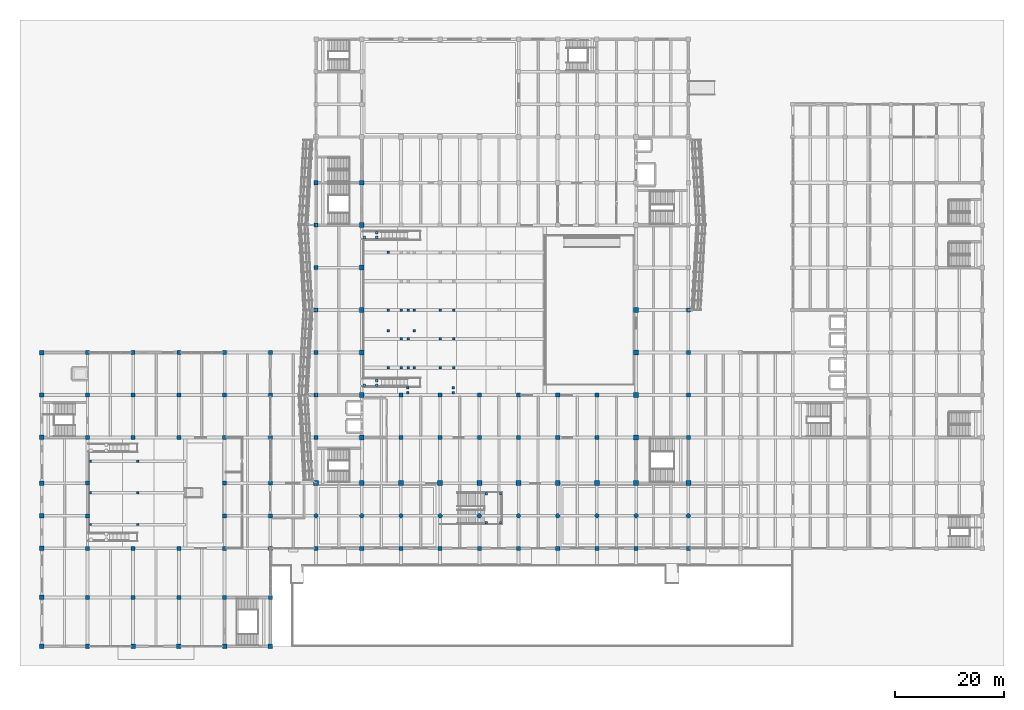
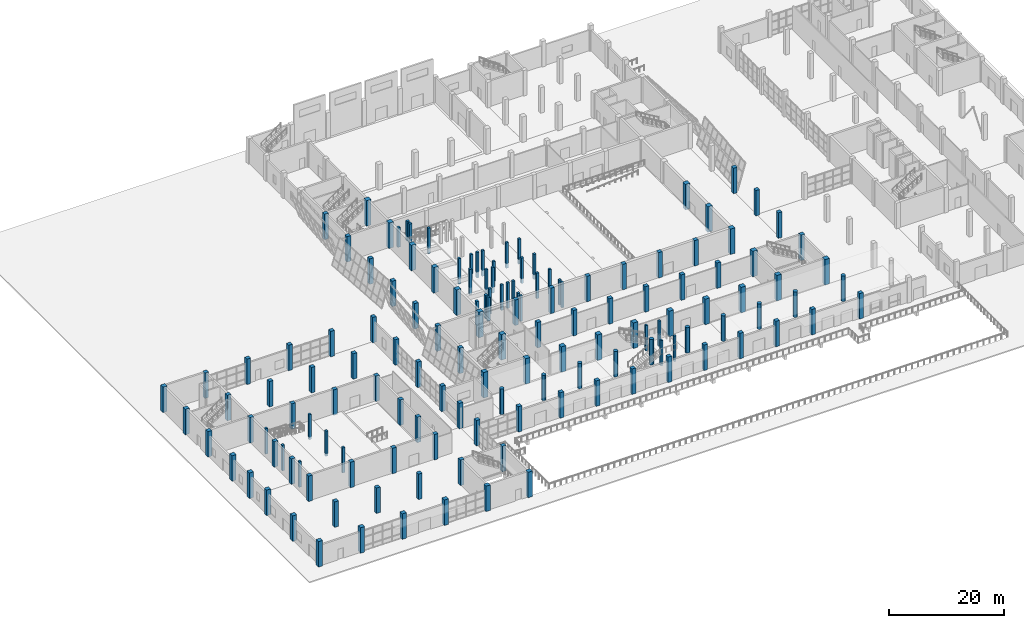
# One storey, part 1 of 78: 151 columns.
"""IFC4 building model written with IfcOpenShell, lengths in metres."""

from ifc_helpers import new_model, si_unit, direction, frame, origin, origin_2d, place, context, subcontext, project, spatial, rectangle, circle, extrude, material, material_profile, profile_set, type_object, element, save


model = new_model("IFC4")

# Units and contexts
model_context = context("Model", 3, precision=1e-05, world=origin(), true_north=direction((0.0, 1.0)))
body_context = subcontext(model_context, "Body", "Model", "MODEL_VIEW")
ifc_project = project(units=[si_unit("LENGTHUNIT", "METRE"), si_unit("AREAUNIT", "SQUARE_METRE"), si_unit("VOLUMEUNIT", "CUBIC_METRE"), si_unit("PLANEANGLEUNIT", "RADIAN"), si_unit("MASSUNIT", "GRAM", prefix="KILO")], contexts=[model_context])

# Site, building, storey
site_placement = place(None, origin())
site = spatial("IfcSite", under=ifc_project, at=site_placement, CompositionType="ELEMENT")
building_placement = place(site_placement, origin())
building = spatial("IfcBuilding", under=site, at=building_placement, Name="Pellamere Symphony Hall", CompositionType="ELEMENT")
storey_placement = place(building_placement, origin())
storey = spatial("IfcBuildingStorey", under=building, at=storey_placement, Name="L00", CompositionType="ELEMENT", Elevation=0.0)

# Columns
ifc_material_1 = material(Name="Concrete 50 MPa", Category="concrete")
ifc_material_profile_1 = material_profile(ifc_material_1, circle(Radius=0.39990234375, at=origin_2d()), Name="RCCOL D800")
ifc_profile_set_1 = profile_set([ifc_material_profile_1], Name="Concrete 50 MPa")
column_type_1 = type_object("IfcColumnType", Name="RC Circular Foyer Column CC-15 D800", PredefinedType="COLUMN", material=ifc_profile_set_1)
for number, where, z_axis, x_axis, name in (
    (1, (50.39990234375, 24.0, 0.0), (0.0, 0.0, 1.0), (1.0, 0.0, 0.0), "Column C-7D (L00)"),
    (2, (58.800048828125, 24.0, 0.0), (0.0, 0.0, 1.0), (1.0, 0.0, 0.0), "Column C-8D (L00)"),
    (3, (66.0, 24.0, 0.0), (0.0, 0.0, 1.0), (1.0, 0.0, 0.0), "Column C-9D (L00)"),
    (4, (73.199951171875, 24.0, 0.0), (0.0, 0.0, 1.0), (1.0, 0.0, 0.0), "Column C-10D (L00)"),
    (5, (80.39990234375, 24.0, 0.0), (0.0, 0.0, 1.0), (1.0, 0.0, 0.0), "Column C-11D (L00)"),
    (6, (87.60009765625, 24.0, 0.0), (0.0, 0.0, 1.0), (1.0, 0.0, 0.0), "Column C-12D (L00)"),
    (7, (94.800048828125, 24.0, 0.0), (0.0, 0.0, 1.0), (1.0, 0.0, 0.0), "Column C-13D (L00)"),
    (8, (102.0, 24.0, 0.0), (0.0, 0.0, 1.0), (1.0, 0.0, 0.0), "Column C-14D (L00)"),
    (9, (109.199951171875, 24.0, 0.0), (0.0, 0.0, 1.0), (1.0, 0.0, 0.0), "Column C-15D (L00)"),
    (10, (118.800048828125, 24.0, 0.0), (0.0, 0.0, 1.0), (1.0, 0.0, 0.0), "Column C-16D (L00)"),
):
    element("IfcColumn", number, at=place(storey_placement, frame(where, z_axis=z_axis, x_axis=x_axis)), inside=storey, type_object=column_type_1, Name=name, PredefinedType="COLUMN", context=body_context, shape_type="SweptSolid", body=[
        extrude(circle(Radius=0.39990234375, at=origin_2d()), origin(), (0.0, 0.0, 1.0), 5.39990234375),
    ])
ifc_material_profile_2 = material_profile(ifc_material_1, rectangle(XDim=0.89990234375, YDim=0.89990234375, at=origin_2d()), Name="RC 900x900")
ifc_profile_set_2 = profile_set([ifc_material_profile_2], Name="Concrete 50 MPa")
column_type_2 = type_object("IfcColumnType", Name="RC Column CC-02 900x900", PredefinedType="COLUMN", material=ifc_profile_set_2)
for number, where, z_axis, x_axis, name in (
    (11, (50.39990234375, 30.0, 0.0), (0.0, 0.0, 1.0), (1.0, 0.0, 0.0), "Column C-7E (L00)"),
    (12, (58.800048828125, 30.0, 0.0), (0.0, 0.0, 1.0), (1.0, 0.0, 0.0), "Column C-8E (L00)"),
    (13, (58.800048828125, 38.39990234375, 0.0), (0.0, 0.0, 1.0), (1.0, 0.0, 0.0), "Column C-8F (L00)"),
    (14, (58.800048828125, 46.199951171875, 0.0), (0.0, 0.0, 1.0), (1.0, 0.0, 0.0), "Column C-8G (L00)"),
    (15, (58.800048828125, 54.0, 0.0), (0.0, 0.0, 1.0), (1.0, 0.0, 0.0), "Column C-8H (L00)"),
    (16, (58.800048828125, 61.800048828125, 0.0), (0.0, 0.0, 1.0), (1.0, 0.0, 0.0), "Column C-8I (L00)"),
    (17, (58.800048828125, 69.60009765625, 0.0), (0.0, 0.0, 1.0), (1.0, 0.0, 0.0), "Column C-8J (L00)"),
    (18, (58.800048828125, 77.39990234375, 0.0), (0.0, 0.0, 1.0), (1.0, 0.0, 0.0), "Column C-8K (L00)"),
    (19, (58.800048828125, 85.199951171875, 0.0), (0.0, 0.0, 1.0), (1.0, 0.0, 0.0), "Column C-8L (L00)"),
    (20, (66.0, 30.0, 0.0), (0.0, 0.0, 1.0), (1.0, 0.0, 0.0), "Column C-9E (L00)"),
    (21, (73.199951171875, 30.0, 0.0), (0.0, 0.0, 1.0), (1.0, 0.0, 0.0), "Column C-10E (L00)"),
    (22, (80.39990234375, 30.0, 0.0), (0.0, 0.0, 1.0), (1.0, 0.0, 0.0), "Column C-11E (L00)"),
    (23, (87.60009765625, 30.0, 0.0), (0.0, 0.0, 1.0), (1.0, 0.0, 0.0), "Column C-12E (L00)"),
    (24, (94.800048828125, 30.0, 0.0), (0.0, 0.0, 1.0), (1.0, 0.0, 0.0), "Column C-13E (L00)"),
    (25, (102.0, 30.0, 0.0), (0.0, 0.0, 1.0), (1.0, 0.0, 0.0), "Column C-14E (L00)"),
    (26, (109.199951171875, 30.0, 0.0), (0.0, 0.0, 1.0), (1.0, 0.0, 0.0), "Column C-15E (L00)"),
    (27, (109.199951171875, 38.39990234375, 0.0), (0.0, 0.0, 1.0), (1.0, 0.0, 0.0), "Column C-15F (L00)"),
    (28, (109.199951171875, 46.199951171875, 0.0), (0.0, 0.0, 1.0), (1.0, 0.0, 0.0), "Column C-15G (L00)"),
    (29, (109.199951171875, 54.0, 0.0), (0.0, 0.0, 1.0), (1.0, 0.0, 0.0), "Column C-15H (L00)"),
    (30, (109.199951171875, 61.800048828125, 0.0), (0.0, 0.0, 1.0), (1.0, 0.0, 0.0), "Column C-15I (L00)"),
    (31, (118.800048828125, 30.0, 0.0), (0.0, 0.0, 1.0), (1.0, 0.0, 0.0), "Column C-16E (L00)"),
):
    element("IfcColumn", number, at=place(storey_placement, frame(where, z_axis=z_axis, x_axis=x_axis)), inside=storey, type_object=column_type_2, Name=name, PredefinedType="COLUMN", context=body_context, shape_type="SweptSolid", body=[
        extrude(rectangle(XDim=0.89990234375, YDim=0.89990234375, at=origin_2d()), origin(), (0.0, 0.0, 1.0), 5.39990234375),
    ])
ifc_material_2 = material(Name="Concrete 40 MPa", Category="concrete")
ifc_material_profile_3 = material_profile(ifc_material_2, rectangle(XDim=0.75, YDim=0.75, at=origin_2d()), Name="RC 750x750")
ifc_profile_set_3 = profile_set([ifc_material_profile_3], Name="Concrete 40 MPa")
column_type_3 = type_object("IfcColumnType", Name="RC Column CC-05 750x750", PredefinedType="COLUMN", material=ifc_profile_set_3)
for number, where, z_axis, x_axis, name in (
    (32, (8.39990234375, 9.0, 0.0), (0.0, 0.0, 1.0), (1.0, 0.0, 0.0), "Column C-2B (L00)"),
    (33, (8.39990234375, 18.0, 0.0), (0.0, 0.0, 1.0), (1.0, 0.0, 0.0), "Column C-2C (L00)"),
    (34, (8.39990234375, 24.0, 0.0), (0.0, 0.0, 1.0), (1.0, 0.0, 0.0), "Column C-2D (L00)"),
    (35, (8.39990234375, 30.0, 0.0), (0.0, 0.0, 1.0), (1.0, 0.0, 0.0), "Column C-2E (L00)"),
    (36, (8.39990234375, 38.39990234375, 0.0), (0.0, 0.0, 1.0), (1.0, 0.0, 0.0), "Column C-2F (L00)"),
    (37, (8.39990234375, 46.199951171875, 0.0), (0.0, 0.0, 1.0), (1.0, 0.0, 0.0), "Column C-2G (L00)"),
    (38, (8.39990234375, 54.0, 0.0), (0.0, 0.0, 1.0), (1.0, 0.0, 0.0), "Column C-2H (L00)"),
    (39, (16.800048828125, 9.0, 0.0), (0.0, 0.0, 1.0), (1.0, 0.0, 0.0), "Column C-3B (L00)"),
    (40, (16.800048828125, 18.0, 0.0), (0.0, 0.0, 1.0), (1.0, 0.0, 0.0), "Column C-3C (L00)"),
    (41, (16.800048828125, 38.39990234375, 0.0), (0.0, 0.0, 1.0), (1.0, 0.0, 0.0), "Column C-3F (L00)"),
    (42, (16.800048828125, 46.199951171875, 0.0), (0.0, 0.0, 1.0), (1.0, 0.0, 0.0), "Column C-3G (L00)"),
    (43, (16.800048828125, 54.0, 0.0), (0.0, 0.0, 1.0), (1.0, 0.0, 0.0), "Column C-3H (L00)"),
    (44, (25.199951171875, 9.0, 0.0), (0.0, 0.0, 1.0), (1.0, 0.0, 0.0), "Column C-4B (L00)"),
    (45, (25.199951171875, 18.0, 0.0), (0.0, 0.0, 1.0), (1.0, 0.0, 0.0), "Column C-4C (L00)"),
    (46, (25.199951171875, 38.39990234375, 0.0), (0.0, 0.0, 1.0), (1.0, 0.0, 0.0), "Column C-4F (L00)"),
    (47, (25.199951171875, 46.199951171875, 0.0), (0.0, 0.0, 1.0), (1.0, 0.0, 0.0), "Column C-4G (L00)"),
    (48, (25.199951171875, 54.0, 0.0), (0.0, 0.0, 1.0), (1.0, 0.0, 0.0), "Column C-4H (L00)"),
    (49, (33.60009765625, 9.0, 0.0), (0.0, 0.0, 1.0), (1.0, 0.0, 0.0), "Column C-5B (L00)"),
    (50, (33.60009765625, 18.0, 0.0), (0.0, 0.0, 1.0), (1.0, 0.0, 0.0), "Column C-5C (L00)"),
    (51, (33.60009765625, 24.0, 0.0), (0.0, 0.0, 1.0), (1.0, 0.0, 0.0), "Column C-5D (L00)"),
    (52, (33.60009765625, 30.0, 0.0), (0.0, 0.0, 1.0), (1.0, 0.0, 0.0), "Column C-5E (L00)"),
    (53, (33.60009765625, 38.39990234375, 0.0), (0.0, 0.0, 1.0), (1.0, 0.0, 0.0), "Column C-5F (L00)"),
    (54, (33.60009765625, 46.199951171875, 0.0), (0.0, 0.0, 1.0), (1.0, 0.0, 0.0), "Column C-5G (L00)"),
    (55, (33.60009765625, 54.0, 0.0), (0.0, 0.0, 1.0), (1.0, 0.0, 0.0), "Column C-5H (L00)"),
    (56, (42.0, 9.0, 0.0), (0.0, 0.0, 1.0), (1.0, 0.0, 0.0), "Column C-6B (L00)"),
    (57, (42.0, 18.0, 0.0), (0.0, 0.0, 1.0), (1.0, 0.0, 0.0), "Column C-6C (L00)"),
    (58, (42.0, 24.0, 0.0), (0.0, 0.0, 1.0), (1.0, 0.0, 0.0), "Column C-6D (L00)"),
    (59, (42.0, 30.0, 0.0), (0.0, 0.0, 1.0), (1.0, 0.0, 0.0), "Column C-6E (L00)"),
    (60, (42.0, 38.39990234375, 0.0), (0.0, 0.0, 1.0), (1.0, 0.0, 0.0), "Column C-6F (L00)"),
    (61, (42.0, 46.199951171875, 0.0), (0.0, 0.0, 1.0), (1.0, 0.0, 0.0), "Column C-6G (L00)"),
    (62, (42.0, 54.0, 0.0), (0.0, 0.0, 1.0), (1.0, 0.0, 0.0), "Column C-6H (L00)"),
    (63, (50.39990234375, 18.0, 0.0), (0.0, 0.0, 1.0), (1.0, 0.0, 0.0), "Column C-7C (L00)"),
    (64, (50.39990234375, 38.39990234375, 0.0), (0.0, 0.0, 1.0), (1.0, 0.0, 0.0), "Column C-7F (L00)"),
    (65, (50.39990234375, 46.199951171875, 0.0), (0.0, 0.0, 1.0), (1.0, 0.0, 0.0), "Column C-7G (L00)"),
    (66, (50.39990234375, 54.0, 0.0), (0.0, 0.0, 1.0), (1.0, 0.0, 0.0), "Column C-7H (L00)"),
    (67, (50.39990234375, 61.800048828125, 0.0), (0.0, 0.0, 1.0), (1.0, 0.0, 0.0), "Column C-7I (L00)"),
    (68, (50.39990234375, 69.60009765625, 0.0), (0.0, 0.0, 1.0), (1.0, 0.0, 0.0), "Column C-7J (L00)"),
    (69, (50.39990234375, 77.39990234375, 0.0), (0.0, 0.0, 1.0), (1.0, 0.0, 0.0), "Column C-7K (L00)"),
    (70, (50.39990234375, 85.199951171875, 0.0), (0.0, 0.0, 1.0), (1.0, 0.0, 0.0), "Column C-7L (L00)"),
    (71, (58.800048828125, 18.0, 0.0), (0.0, 0.0, 1.0), (1.0, 0.0, 0.0), "Column C-8C (L00)"),
    (72, (66.0, 18.0, 0.0), (0.0, 0.0, 1.0), (1.0, 0.0, 0.0), "Column C-9C (L00)"),
    (73, (66.0, 38.39990234375, 0.0), (0.0, 0.0, 1.0), (1.0, 0.0, 0.0), "Column C-9F (L00)"),
    (74, (66.0, 46.199951171875, 0.0), (0.0, 0.0, 1.0), (1.0, 0.0, 0.0), "Column C-9G (L00)"),
    (75, (73.199951171875, 18.0, 0.0), (0.0, 0.0, 1.0), (1.0, 0.0, 0.0), "Column C-10C (L00)"),
    (76, (73.199951171875, 38.39990234375, 0.0), (0.0, 0.0, 1.0), (1.0, 0.0, 0.0), "Column C-10F (L00)"),
    (77, (73.199951171875, 46.199951171875, 0.0), (0.0, 0.0, 1.0), (1.0, 0.0, 0.0), "Column C-10G (L00)"),
    (78, (80.39990234375, 18.0, 0.0), (0.0, 0.0, 1.0), (1.0, 0.0, 0.0), "Column C-11C (L00)"),
    (79, (80.39990234375, 38.39990234375, 0.0), (0.0, 0.0, 1.0), (1.0, 0.0, 0.0), "Column C-11F (L00)"),
    (80, (80.39990234375, 46.199951171875, 0.0), (0.0, 0.0, 1.0), (1.0, 0.0, 0.0), "Column C-11G (L00)"),
    (81, (87.60009765625, 18.0, 0.0), (0.0, 0.0, 1.0), (1.0, 0.0, 0.0), "Column C-12C (L00)"),
    (82, (87.60009765625, 38.39990234375, 0.0), (0.0, 0.0, 1.0), (1.0, 0.0, 0.0), "Column C-12F (L00)"),
    (83, (87.60009765625, 46.199951171875, 0.0), (0.0, 0.0, 1.0), (1.0, 0.0, 0.0), "Column C-12G (L00)"),
    (84, (94.800048828125, 18.0, 0.0), (0.0, 0.0, 1.0), (1.0, 0.0, 0.0), "Column C-13C (L00)"),
    (85, (94.800048828125, 38.39990234375, 0.0), (0.0, 0.0, 1.0), (1.0, 0.0, 0.0), "Column C-13F (L00)"),
    (86, (94.800048828125, 46.199951171875, 0.0), (0.0, 0.0, 1.0), (1.0, 0.0, 0.0), "Column C-13G (L00)"),
    (87, (102.0, 18.0, 0.0), (0.0, 0.0, 1.0), (1.0, 0.0, 0.0), "Column C-14C (L00)"),
    (88, (102.0, 38.39990234375, 0.0), (0.0, 0.0, 1.0), (1.0, 0.0, 0.0), "Column C-14F (L00)"),
    (89, (102.0, 46.199951171875, 0.0), (0.0, 0.0, 1.0), (1.0, 0.0, 0.0), "Column C-14G (L00)"),
    (90, (109.199951171875, 18.0, 0.0), (0.0, 0.0, 1.0), (1.0, 0.0, 0.0), "Column C-15C (L00)"),
    (91, (118.800048828125, 18.0, 0.0), (0.0, 0.0, 1.0), (1.0, 0.0, 0.0), "Column C-16C (L00)"),
    (92, (118.800048828125, 38.39990234375, 0.0), (0.0, 0.0, 1.0), (1.0, 0.0, 0.0), "Column C-16F (L00)"),
    (93, (118.800048828125, 46.199951171875, 0.0), (0.0, 0.0, 1.0), (1.0, 0.0, 0.0), "Column C-16G (L00)"),
    (94, (118.800048828125, 54.0, 0.0), (0.0, 0.0, 1.0), (1.0, 0.0, 0.0), "Column C-16H (L00)"),
    (95, (118.800048828125, 61.800048828125, 0.0), (0.0, 0.0, 1.0), (1.0, 0.0, 0.0), "Column C-16I (L00)"),
):
    element("IfcColumn", number, at=place(storey_placement, frame(where, z_axis=z_axis, x_axis=x_axis)), inside=storey, type_object=column_type_3, Name=name, PredefinedType="COLUMN", context=body_context, shape_type="SweptSolid", body=[
        extrude(rectangle(XDim=0.75, YDim=0.75, at=origin_2d()), origin(), (0.0, 0.0, 1.0), 5.39990234375),
    ])
ifc_material_3 = material(Name="Concrete 35 MPa", Category="concrete")
ifc_material_profile_4 = material_profile(ifc_material_3, rectangle(XDim=0.5, YDim=0.5, at=origin_2d()), Name="RC 500x500")
ifc_profile_set_4 = profile_set([ifc_material_profile_4], Name="Concrete 35 MPa")
column_type_4 = type_object("IfcColumnType", Name="RC Column CC-10 500x500", PredefinedType="COLUMN", material=ifc_profile_set_4)
for number, where, z_axis, x_axis, name in (
    (96, (59.25, 48.0, 1.25), (0.0, 0.0, 1.0), (1.0, 0.0, 0.0), "Vomitory VOM-03 Arrival Platform Column 1"),
    (97, (61.550048828125, 48.0, 1.25), (0.0, 0.0, 1.0), (1.0, 0.0, 0.0), "Vomitory VOM-03 Arrival Platform Column 2"),
    (98, (61.550048828125, 48.85009765625, 1.25), (0.0, 0.0, 1.0), (1.0, 0.0, 0.0), "Vomitory VOM-03 Arrival Platform Column 3"),
):
    element("IfcColumn", number, at=place(storey_placement, frame(where, z_axis=z_axis, x_axis=x_axis)), inside=storey, type_object=column_type_4, Name=name, PredefinedType="COLUMN", context=body_context, shape_type="SweptSolid", body=[
        extrude(rectangle(XDim=0.5, YDim=0.5, at=origin_2d()), origin(), (0.0, 0.0, 1.0), 4.97998046875),
    ])
for number, where, z_axis, x_axis, name in (
    (99, (59.25, 75.14990234375, 1.25), (0.0, 0.0, 1.0), (1.0, 0.0, 0.0), "Vomitory VOM-04 Arrival Platform Column 1 (L00)"),
    (100, (61.550048828125, 75.14990234375, 1.25), (0.0, 0.0, 1.0), (1.0, 0.0, 0.0), "Vomitory VOM-04 Arrival Platform Column 2 (L00)"),
    (101, (61.550048828125, 76.0, 1.25), (0.0, 0.0, 1.0), (1.0, 0.0, 0.0), "Vomitory VOM-04 Arrival Platform Column 3 (L00)"),
):
    element("IfcColumn", number, at=place(storey_placement, frame(where, z_axis=z_axis, x_axis=x_axis)), inside=storey, type_object=column_type_4, Name=name, PredefinedType="COLUMN", context=body_context, shape_type="SweptSolid", body=[
        extrude(rectangle(XDim=0.5, YDim=0.5, at=origin_2d()), origin(), (0.0, 0.0, 1.0), 4.14990234375),
    ])
ifc_material_profile_5 = material_profile(ifc_material_2, rectangle(XDim=0.449951171875, YDim=0.449951171875, at=origin_2d()), Name="RC 450x450")
ifc_profile_set_5 = profile_set([ifc_material_profile_5], Name="Concrete 40 MPa")
column_type_5 = type_object("IfcColumnType", Name="RC Column CC-18 450x450", PredefinedType="COLUMN", material=ifc_profile_set_5)
for number, where, z_axis, x_axis, name in (
    (102, (8.949951171875, 22.39990234375, 0.0), (0.0, 0.0, 1.0), (1.0, 0.0, 0.0), "Under-Tier Raker Support Column RKC-002 (L00)"),
    (103, (8.949951171875, 28.199951171875, 0.0), (0.0, 0.0, 1.0), (1.0, 0.0, 0.0), "Under-Tier Raker Support Column RKC-005 (L00)"),
    (104, (8.949951171875, 34.0, 0.0), (0.0, 0.0, 1.0), (1.0, 0.0, 0.0), "Under-Tier Raker Support Column RKC-008 (L00)"),
):
    element("IfcColumn", number, at=place(storey_placement, frame(where, z_axis=z_axis, x_axis=x_axis)), inside=storey, type_object=column_type_5, Name=name, PredefinedType="COLUMN", context=body_context, shape_type="SweptSolid", body=[
        extrude(rectangle(XDim=0.449951171875, YDim=0.449951171875, at=origin_2d()), origin(), (0.0, 0.0, 1.0), 5.39990234375),
    ])
for number, where, z_axis, x_axis, name in (
    (105, (17.675048828125, 22.39990234375, 0.0), (0.0, 0.0, 1.0), (1.0, 0.0, 0.0), "Under-Tier Raker Support Column RKC-011 (L00)"),
    (106, (17.675048828125, 28.199951171875, 0.0), (0.0, 0.0, 1.0), (1.0, 0.0, 0.0), "Under-Tier Raker Support Column RKC-013 (L00)"),
    (107, (17.675048828125, 34.0, 0.0), (0.0, 0.0, 1.0), (1.0, 0.0, 0.0), "Under-Tier Raker Support Column RKC-015 (L00)"),
):
    element("IfcColumn", number, at=place(storey_placement, frame(where, z_axis=z_axis, x_axis=x_axis)), inside=storey, type_object=column_type_5, Name=name, PredefinedType="COLUMN", context=body_context, shape_type="SweptSolid", body=[
        extrude(rectangle(XDim=0.449951171875, YDim=0.449951171875, at=origin_2d()), origin(), (0.0, 0.0, 1.0), 5.320068359375),
    ])
for number, where, z_axis, x_axis, name in (
    (108, (63.675048828125, 51.199951171875, 0.0), (0.0, 0.0, 1.0), (1.0, 0.0, 0.0), "Under-Tier Raker Support Column RKC-020 (L00)"),
    (109, (63.675048828125, 58.0, 0.0), (0.0, 0.0, 1.0), (1.0, 0.0, 0.0), "Under-Tier Raker Support Column RKC-024 (L00)"),
    (110, (63.675048828125, 61.800048828125, 0.0), (0.0, 0.0, 1.0), (1.0, 0.0, 0.0), "Under-Tier Raker Support Column RKC-028 (L00)"),
    (111, (63.675048828125, 72.39990234375, 0.0), (0.0, 0.0, 1.0), (1.0, 0.0, 0.0), "Under-Tier Raker Support Column RKC-032 (L00)"),
    (112, (66.074951171875, 51.199951171875, 0.0), (0.0, 0.0, 1.0), (1.0, 0.0, 0.0), "Under-Tier Raker Support Column RKC-036 (L00)"),
    (113, (66.074951171875, 56.5, 0.0), (0.0, 0.0, 1.0), (1.0, 0.0, 0.0), "Under-Tier Raker Support Column RKC-040 (L00)"),
    (114, (66.074951171875, 61.800048828125, 0.0), (0.0, 0.0, 1.0), (1.0, 0.0, 0.0), "Under-Tier Raker Support Column RKC-044 (L00)"),
    (115, (67.27490234375, 46.64990234375, 0.0), (0.0, 0.0, 1.0), (1.0, 0.0, 0.0), "Under-Tier Raker Support Column RKC-056 (L00)"),
    (116, (67.27490234375, 47.550048828125, 0.0), (0.0, 0.0, 1.0), (1.0, 0.0, 0.0), "Under-Tier Raker Support Column RKC-059 (L00)"),
    (117, (67.31201171875, 51.199951171875, 0.0), (0.0, 0.0, 1.0), (1.0, 0.0, 0.0), "Under-Tier Raker Support Column RKC-062 (L00)"),
    (118, (67.31201171875, 56.5, 0.0), (0.0, 0.0, 1.0), (1.0, 0.0, 0.0), "Under-Tier Raker Support Column RKC-065 (L00)"),
    (119, (67.31201171875, 61.800048828125, 0.0), (0.0, 0.0, 1.0), (1.0, 0.0, 0.0), "Under-Tier Raker Support Column RKC-068 (L00)"),
    (120, (68.39990234375, 51.199951171875, 0.0), (0.0, 0.0, 1.0), (1.0, 0.0, 0.0), "Under-Tier Raker Support Column RKC-077 (L00)"),
    (121, (68.39990234375, 58.0, 0.0), (0.0, 0.0, 1.0), (1.0, 0.0, 0.0), "Under-Tier Raker Support Column RKC-081 (L00)"),
    (122, (68.39990234375, 61.800048828125, 0.0), (0.0, 0.0, 1.0), (1.0, 0.0, 0.0), "Under-Tier Raker Support Column RKC-085 (L00)"),
    (123, (73.199951171875, 51.199951171875, 0.0), (0.0, 0.0, 1.0), (1.0, 0.0, 0.0), "Under-Tier Raker Support Column RKC-093 (L00)"),
    (124, (73.199951171875, 56.5, 0.0), (0.0, 0.0, 1.0), (1.0, 0.0, 0.0), "Under-Tier Raker Support Column RKC-097 (L00)"),
    (125, (73.199951171875, 61.800048828125, 0.0), (0.0, 0.0, 1.0), (1.0, 0.0, 0.0), "Under-Tier Raker Support Column RKC-101 (L00)"),
):
    element("IfcColumn", number, at=place(storey_placement, frame(where, z_axis=z_axis, x_axis=x_axis)), inside=storey, type_object=column_type_5, Name=name, PredefinedType="COLUMN", context=body_context, shape_type="SweptSolid", body=[
        extrude(rectangle(XDim=0.449951171875, YDim=0.449951171875, at=origin_2d()), origin(), (0.0, 0.0, 1.0), 5.39990234375),
    ])
for number, where, z_axis, x_axis, name in (
    (126, (75.60009765625, 46.64990234375, 0.0), (0.0, 0.0, 1.0), (1.0, 0.0, 0.0), "Under-Tier Raker Support Column RKC-113 (L00)"),
    (127, (75.60009765625, 47.550048828125, 0.0), (0.0, 0.0, 1.0), (1.0, 0.0, 0.0), "Under-Tier Raker Support Column RKC-115 (L00)"),
    (128, (75.675048828125, 51.199951171875, 0.0), (0.0, 0.0, 1.0), (1.0, 0.0, 0.0), "Under-Tier Raker Support Column RKC-117 (L00)"),
    (129, (75.675048828125, 56.5, 0.0), (0.0, 0.0, 1.0), (1.0, 0.0, 0.0), "Under-Tier Raker Support Column RKC-119 (L00)"),
    (130, (75.675048828125, 61.800048828125, 0.0), (0.0, 0.0, 1.0), (1.0, 0.0, 0.0), "Under-Tier Raker Support Column RKC-121 (L00)"),
):
    element("IfcColumn", number, at=place(storey_placement, frame(where, z_axis=z_axis, x_axis=x_axis)), inside=storey, type_object=column_type_5, Name=name, PredefinedType="COLUMN", context=body_context, shape_type="SweptSolid", body=[
        extrude(rectangle(XDim=0.449951171875, YDim=0.449951171875, at=origin_2d()), origin(), (0.0, 0.0, 1.0), 5.300048828125),
    ])
ifc_material_profile_6 = material_profile(ifc_material_2, rectangle(XDim=0.419921875, YDim=0.419921875, at=origin_2d()), Name="RC 420x420")
ifc_profile_set_6 = profile_set([ifc_material_profile_6], Name="Concrete 40 MPa")
column_type_6 = type_object("IfcColumnType", Name="RC Column CC-19 420x420", PredefinedType="COLUMN", material=ifc_profile_set_6)
column_1_placement = place(storey_placement, frame((81.64990234375, 22.75, 0.0), z_axis=(0.0, 0.0, 1.0), x_axis=(1.0, 0.0, 0.0)))
element("IfcColumn", 131, at=column_1_placement, inside=storey, type_object=column_type_6, Name="Feature Stair Atrium Support Column 1 (L00)", PredefinedType="COLUMN", context=body_context, shape_type="SweptSolid", body=[
    extrude(rectangle(XDim=0.419921875, YDim=0.419921875, at=origin_2d()), origin(), (0.0, 0.0, 1.0), 2.4599609375),
])
column_2_placement = place(storey_placement, frame((81.64990234375, 22.75, 2.4599609375), z_axis=(0.0, 0.0, 1.0), x_axis=(1.0, 0.0, 0.0)))
element("IfcColumn", 132, at=column_2_placement, inside=storey, type_object=column_type_6, Name="Feature Stair Atrium Support Column 1 (L00B)", PredefinedType="COLUMN", context=body_context, shape_type="SweptSolid", body=[
    extrude(rectangle(XDim=0.419921875, YDim=0.419921875, at=origin_2d()), origin(), (0.0, 0.0, 1.0), 2.93994140625),
])
column_3_placement = place(storey_placement, frame((84.300048828125, 22.75, 0.0), z_axis=(0.0, 0.0, 1.0), x_axis=(1.0, 0.0, 0.0)))
element("IfcColumn", 133, at=column_3_placement, inside=storey, type_object=column_type_6, Name="Feature Stair Atrium Support Column 2 (L00)", PredefinedType="COLUMN", context=body_context, shape_type="SweptSolid", body=[
    extrude(rectangle(XDim=0.419921875, YDim=0.419921875, at=origin_2d()), origin(), (0.0, 0.0, 1.0), 2.4599609375),
])
column_4_placement = place(storey_placement, frame((84.300048828125, 22.75, 2.4599609375), z_axis=(0.0, 0.0, 1.0), x_axis=(1.0, 0.0, 0.0)))
element("IfcColumn", 134, at=column_4_placement, inside=storey, type_object=column_type_6, Name="Feature Stair Atrium Support Column 2 (L00B)", PredefinedType="COLUMN", context=body_context, shape_type="SweptSolid", body=[
    extrude(rectangle(XDim=0.419921875, YDim=0.419921875, at=origin_2d()), origin(), (0.0, 0.0, 1.0), 2.93994140625),
])
column_5_placement = place(storey_placement, frame((81.64990234375, 28.050048828125, 0.0), z_axis=(0.0, 0.0, 1.0), x_axis=(1.0, 0.0, 0.0)))
element("IfcColumn", 135, at=column_5_placement, inside=storey, type_object=column_type_6, Name="Feature Stair Atrium Support Column 3 (L00)", PredefinedType="COLUMN", context=body_context, shape_type="SweptSolid", body=[
    extrude(rectangle(XDim=0.419921875, YDim=0.419921875, at=origin_2d()), origin(), (0.0, 0.0, 1.0), 2.4599609375),
])
column_6_placement = place(storey_placement, frame((81.64990234375, 28.050048828125, 2.4599609375), z_axis=(0.0, 0.0, 1.0), x_axis=(1.0, 0.0, 0.0)))
element("IfcColumn", 136, at=column_6_placement, inside=storey, type_object=column_type_6, Name="Feature Stair Atrium Support Column 3 (L00B)", PredefinedType="COLUMN", context=body_context, shape_type="SweptSolid", body=[
    extrude(rectangle(XDim=0.419921875, YDim=0.419921875, at=origin_2d()), origin(), (0.0, 0.0, 1.0), 2.93994140625),
])
column_7_placement = place(storey_placement, frame((84.300048828125, 28.050048828125, 0.0), z_axis=(0.0, 0.0, 1.0), x_axis=(1.0, 0.0, 0.0)))
element("IfcColumn", 137, at=column_7_placement, inside=storey, type_object=column_type_6, Name="Feature Stair Atrium Support Column 4 (L00)", PredefinedType="COLUMN", context=body_context, shape_type="SweptSolid", body=[
    extrude(rectangle(XDim=0.419921875, YDim=0.419921875, at=origin_2d()), origin(), (0.0, 0.0, 1.0), 2.4599609375),
])
column_8_placement = place(storey_placement, frame((84.300048828125, 28.050048828125, 2.4599609375), z_axis=(0.0, 0.0, 1.0), x_axis=(1.0, 0.0, 0.0)))
element("IfcColumn", 138, at=column_8_placement, inside=storey, type_object=column_type_6, Name="Feature Stair Atrium Support Column 4 (L00B)", PredefinedType="COLUMN", context=body_context, shape_type="SweptSolid", body=[
    extrude(rectangle(XDim=0.419921875, YDim=0.419921875, at=origin_2d()), origin(), (0.0, 0.0, 1.0), 2.93994140625),
])
ifc_material_profile_7 = material_profile(ifc_material_2, rectangle(XDim=0.820068359375, YDim=0.820068359375, at=origin_2d()), Name="RC 820x820")
ifc_profile_set_7 = profile_set([ifc_material_profile_7], Name="Concrete 40 MPa")
column_type_7 = type_object("IfcColumnType", Name="RC Column CCP-02 820x820", PredefinedType="COLUMN", material=ifc_profile_set_7)
for number, where, z_axis, x_axis, name in (
    (139, (0.0, 0.0, 0.0), (0.0, 0.0, 1.0), (1.0, 0.0, 0.0), "Column C-1A (L00)"),
    (140, (0.0, 9.0, 0.0), (0.0, 0.0, 1.0), (1.0, 0.0, 0.0), "Column C-1B (L00)"),
    (141, (0.0, 18.0, 0.0), (0.0, 0.0, 1.0), (1.0, 0.0, 0.0), "Column C-1C (L00)"),
    (142, (0.0, 24.0, 0.0), (0.0, 0.0, 1.0), (1.0, 0.0, 0.0), "Column C-1D (L00)"),
    (143, (0.0, 30.0, 0.0), (0.0, 0.0, 1.0), (1.0, 0.0, 0.0), "Column C-1E (L00)"),
    (144, (0.0, 38.39990234375, 0.0), (0.0, 0.0, 1.0), (1.0, 0.0, 0.0), "Column C-1F (L00)"),
    (145, (0.0, 46.199951171875, 0.0), (0.0, 0.0, 1.0), (1.0, 0.0, 0.0), "Column C-1G (L00)"),
    (146, (0.0, 54.0, 0.0), (0.0, 0.0, 1.0), (1.0, 0.0, 0.0), "Column C-1H (L00)"),
    (147, (8.39990234375, 0.0, 0.0), (0.0, 0.0, 1.0), (1.0, 0.0, 0.0), "Column C-2A (L00)"),
    (148, (16.800048828125, 0.0, 0.0), (0.0, 0.0, 1.0), (1.0, 0.0, 0.0), "Column C-3A (L00)"),
    (149, (25.199951171875, 0.0, 0.0), (0.0, 0.0, 1.0), (1.0, 0.0, 0.0), "Column C-4A (L00)"),
    (150, (33.60009765625, 0.0, 0.0), (0.0, 0.0, 1.0), (1.0, 0.0, 0.0), "Column C-5A (L00)"),
    (151, (42.0, 0.0, 0.0), (0.0, 0.0, 1.0), (1.0, 0.0, 0.0), "Column C-6A (L00)"),
):
    element("IfcColumn", number, at=place(storey_placement, frame(where, z_axis=z_axis, x_axis=x_axis)), inside=storey, type_object=column_type_7, Name=name, PredefinedType="COLUMN", context=body_context, shape_type="SweptSolid", body=[
        extrude(rectangle(XDim=0.820068359375, YDim=0.820068359375, at=origin_2d()), origin(), (0.0, 0.0, 1.0), 5.39990234375),
    ])

save(model, "model.ifc")
